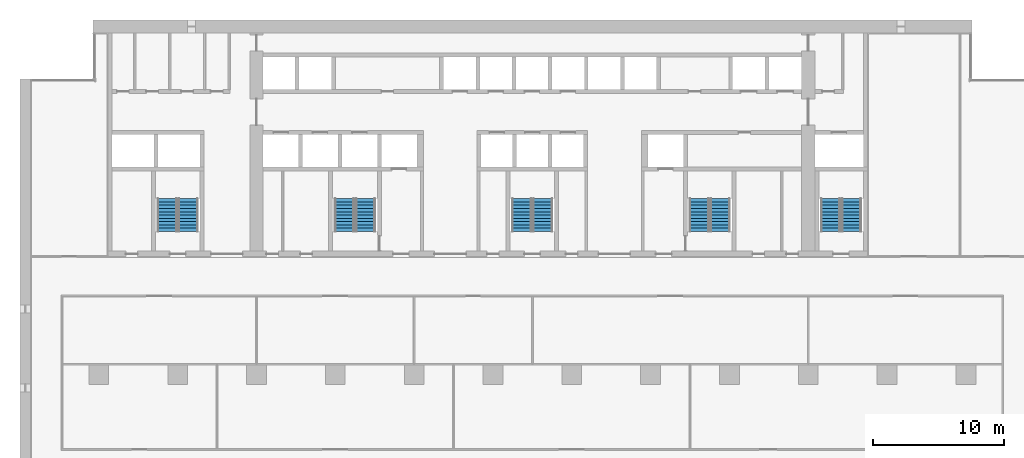
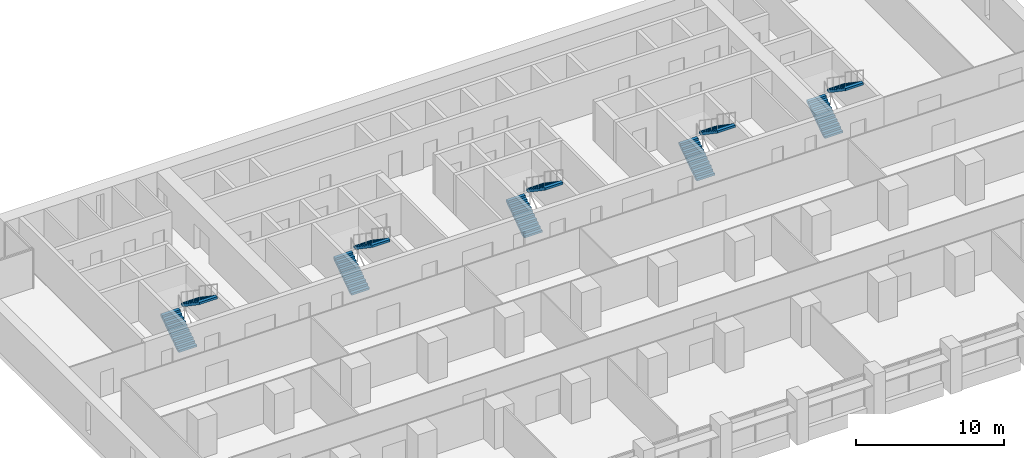
# One storey, part 14 of 18: 10 stair flights, 5 elements without a shape of their own.
"""IFC4 building model written with IfcOpenShell, lengths in metres."""

from ifc_helpers import new_model, si_unit, direction, frame, origin, place, context, subcontext, project, spatial, polyline, outline, extrude, material, type_object, element, aggregate, save


model = new_model("IFC4")

# Units and contexts
model_context = context("Model", 3, precision=1e-05, world=origin(), true_north=direction((0.0, 1.0)))
body_context = subcontext(model_context, "Body", "Model", "MODEL_VIEW")
ifc_project = project(units=[si_unit("LENGTHUNIT", "METRE"), si_unit("AREAUNIT", "SQUARE_METRE"), si_unit("VOLUMEUNIT", "CUBIC_METRE"), si_unit("PLANEANGLEUNIT", "RADIAN"), si_unit("MASSUNIT", "GRAM", prefix="KILO")], contexts=[model_context])

# Site, building, storey
site_placement = place(None, origin())
site = spatial("IfcSite", under=ifc_project, at=site_placement, CompositionType="ELEMENT")
building_placement = place(site_placement, origin())
building = spatial("IfcBuilding", under=site, at=building_placement, Name="Calvaro Tower", CompositionType="ELEMENT")
storey_placement = place(building_placement, frame((0.0, 0.0, 78.75)))
storey = spatial("IfcBuildingStorey", under=building, at=storey_placement, Name="L19", CompositionType="ELEMENT", Elevation=78.75)

# Stair, stair flights
ifc_material_1 = material(Name="Concrete C40/50", Category="concrete")
stair_type = type_object("IfcStairType", Name="Exit stair 1400 2 flights", PredefinedType="HALF_TURN_STAIR", material=ifc_material_1)
stair_1_placement = place(storey_placement, origin())
stair_1 = element("IfcStair", 1, at=stair_1_placement, inside=storey, type_object=stair_type, Name="Exit stair S1", PredefinedType="HALF_TURN_STAIR")
ifc_material_2 = material(Name="Concrete C40/50", Category="concrete")
stair_flight_type = type_object("IfcStairFlightType", Name="Stair flight", PredefinedType="STRAIGHT", material=ifc_material_2)
stair_flight_1_placement = place(storey_placement, frame((11.199951171875, 29.89990234375, 0.0), z_axis=(0.0, 0.0, 1.0), x_axis=(0.0, 1.0, 0.0)))
stair_flight_1 = element("IfcStairFlight", 2, at=stair_flight_1_placement, type_object=stair_flight_type, Name="Exit stair 1, flight 1", NumberOfRisers=11, NumberOfTreads=10, PredefinedType="STRAIGHT", RiserHeight=0.170454545, TreadLength=0.25, context=body_context, shape_type="SweptSolid", body=[
    extrude(outline(polyline([(0.0, 0.0), (0.0, 0.17041015625), (0.25, 0.17041015625), (0.25, 0.3408203125), (0.5, 0.3408203125), (0.5, 0.511474609375), (0.75, 0.511474609375), (0.75, 0.681884765625), (1.0, 0.681884765625), (1.0, 0.852294921875), (1.25, 0.852294921875), (1.25, 1.022705078125), (1.5, 1.022705078125), (1.5, 1.193115234375), (1.75, 1.193115234375), (1.75, 1.363525390625), (2.0, 1.363525390625), (2.0, 1.5341796875), (2.25, 1.5341796875), (2.25, 1.70458984375), (2.5, 1.70458984375), (2.5, 1.875), (2.5, 1.523193359375), (0.26611328125, 0.0), (0.0, 0.0)])), frame((0.0, 0.699951171875, 0.0), z_axis=(0.0, -1.0, 0.0), x_axis=(1.0, 0.0, 0.0)), (0.0, 0.0, 1.0), 1.39990234375),
])
stair_flight_2_placement = place(storey_placement, frame((12.800048828125, 32.39990234375, 1.875), z_axis=(0.0, 0.0, 1.0), x_axis=(0.0, -1.0, 0.0)))
stair_flight_2 = element("IfcStairFlight", 3, at=stair_flight_2_placement, type_object=stair_flight_type, Name="Exit stair 1, flight 2", NumberOfRisers=11, NumberOfTreads=10, PredefinedType="STRAIGHT", RiserHeight=0.170454545, TreadLength=0.25, context=body_context, shape_type="SweptSolid", body=[
    extrude(outline(polyline([(0.0, 0.0), (0.0, 0.17041015625), (0.25, 0.17041015625), (0.25, 0.3408203125), (0.5, 0.3408203125), (0.5, 0.511474609375), (0.75, 0.511474609375), (0.75, 0.681884765625), (1.0, 0.681884765625), (1.0, 0.852294921875), (1.25, 0.852294921875), (1.25, 1.022705078125), (1.5, 1.022705078125), (1.5, 1.193115234375), (1.75, 1.193115234375), (1.75, 1.363525390625), (2.0, 1.363525390625), (2.0, 1.5341796875), (2.25, 1.5341796875), (2.25, 1.70458984375), (2.5, 1.70458984375), (2.5, 1.875), (2.5, 1.523193359375), (0.26611328125, 0.0), (0.0, 0.0)])), frame((0.0, 0.699951171875, 0.0), z_axis=(0.0, -1.0, 0.0), x_axis=(1.0, 0.0, 0.0)), (0.0, 0.0, 1.0), 1.39990234375),
])
aggregate(stair_1, [stair_flight_1, stair_flight_2])

stair_2_placement = place(storey_placement, origin())
stair_2 = element("IfcStair", 4, at=stair_2_placement, inside=storey, type_object=stair_type, Name="Exit stair S2", PredefinedType="HALF_TURN_STAIR")
stair_flight_3_placement = place(storey_placement, frame((24.699951171875, 29.89990234375, 0.0), z_axis=(0.0, 0.0, 1.0), x_axis=(0.0, 1.0, 0.0)))
stair_flight_3 = element("IfcStairFlight", 5, at=stair_flight_3_placement, type_object=stair_flight_type, Name="Exit stair 2, flight 1", NumberOfRisers=11, NumberOfTreads=10, PredefinedType="STRAIGHT", RiserHeight=0.170454545, TreadLength=0.25, context=body_context, shape_type="SweptSolid", body=[
    extrude(outline(polyline([(0.0, 0.0), (0.0, 0.17041015625), (0.25, 0.17041015625), (0.25, 0.3408203125), (0.5, 0.3408203125), (0.5, 0.511474609375), (0.75, 0.511474609375), (0.75, 0.681884765625), (1.0, 0.681884765625), (1.0, 0.852294921875), (1.25, 0.852294921875), (1.25, 1.022705078125), (1.5, 1.022705078125), (1.5, 1.193115234375), (1.75, 1.193115234375), (1.75, 1.363525390625), (2.0, 1.363525390625), (2.0, 1.5341796875), (2.25, 1.5341796875), (2.25, 1.70458984375), (2.5, 1.70458984375), (2.5, 1.875), (2.5, 1.523193359375), (0.26611328125, 0.0), (0.0, 0.0)])), frame((0.0, 0.699951171875, 0.0), z_axis=(0.0, -1.0, 0.0), x_axis=(1.0, 0.0, 0.0)), (0.0, 0.0, 1.0), 1.39990234375),
])
stair_flight_4_placement = place(storey_placement, frame((26.300048828125, 32.39990234375, 1.875), z_axis=(0.0, 0.0, 1.0), x_axis=(0.0, -1.0, 0.0)))
stair_flight_4 = element("IfcStairFlight", 6, at=stair_flight_4_placement, type_object=stair_flight_type, Name="Exit stair 2, flight 2", NumberOfRisers=11, NumberOfTreads=10, PredefinedType="STRAIGHT", RiserHeight=0.170454545, TreadLength=0.25, context=body_context, shape_type="SweptSolid", body=[
    extrude(outline(polyline([(0.0, 0.0), (0.0, 0.17041015625), (0.25, 0.17041015625), (0.25, 0.3408203125), (0.5, 0.3408203125), (0.5, 0.511474609375), (0.75, 0.511474609375), (0.75, 0.681884765625), (1.0, 0.681884765625), (1.0, 0.852294921875), (1.25, 0.852294921875), (1.25, 1.022705078125), (1.5, 1.022705078125), (1.5, 1.193115234375), (1.75, 1.193115234375), (1.75, 1.363525390625), (2.0, 1.363525390625), (2.0, 1.5341796875), (2.25, 1.5341796875), (2.25, 1.70458984375), (2.5, 1.70458984375), (2.5, 1.875), (2.5, 1.523193359375), (0.26611328125, 0.0), (0.0, 0.0)])), frame((0.0, 0.699951171875, 0.0), z_axis=(0.0, -1.0, 0.0), x_axis=(1.0, 0.0, 0.0)), (0.0, 0.0, 1.0), 1.39990234375),
])
aggregate(stair_2, [stair_flight_3, stair_flight_4])

stair_3_placement = place(storey_placement, origin())
stair_3 = element("IfcStair", 7, at=stair_3_placement, inside=storey, type_object=stair_type, Name="Exit stair S3", PredefinedType="HALF_TURN_STAIR")
stair_flight_5_placement = place(storey_placement, frame((38.199951171875, 29.89990234375, 0.0), z_axis=(0.0, 0.0, 1.0), x_axis=(0.0, 1.0, 0.0)))
stair_flight_5 = element("IfcStairFlight", 8, at=stair_flight_5_placement, type_object=stair_flight_type, Name="Exit stair 3, flight 1", NumberOfRisers=11, NumberOfTreads=10, PredefinedType="STRAIGHT", RiserHeight=0.170454545, TreadLength=0.25, context=body_context, shape_type="SweptSolid", body=[
    extrude(outline(polyline([(0.0, 0.0), (0.0, 0.17041015625), (0.25, 0.17041015625), (0.25, 0.3408203125), (0.5, 0.3408203125), (0.5, 0.511474609375), (0.75, 0.511474609375), (0.75, 0.681884765625), (1.0, 0.681884765625), (1.0, 0.852294921875), (1.25, 0.852294921875), (1.25, 1.022705078125), (1.5, 1.022705078125), (1.5, 1.193115234375), (1.75, 1.193115234375), (1.75, 1.363525390625), (2.0, 1.363525390625), (2.0, 1.5341796875), (2.25, 1.5341796875), (2.25, 1.70458984375), (2.5, 1.70458984375), (2.5, 1.875), (2.5, 1.523193359375), (0.26611328125, 0.0), (0.0, 0.0)])), frame((0.0, 0.699951171875, 0.0), z_axis=(0.0, -1.0, 0.0), x_axis=(1.0, 0.0, 0.0)), (0.0, 0.0, 1.0), 1.39990234375),
])
stair_flight_6_placement = place(storey_placement, frame((39.800048828125, 32.39990234375, 1.875), z_axis=(0.0, 0.0, 1.0), x_axis=(0.0, -1.0, 0.0)))
stair_flight_6 = element("IfcStairFlight", 9, at=stair_flight_6_placement, type_object=stair_flight_type, Name="Exit stair 3, flight 2", NumberOfRisers=11, NumberOfTreads=10, PredefinedType="STRAIGHT", RiserHeight=0.170454545, TreadLength=0.25, context=body_context, shape_type="SweptSolid", body=[
    extrude(outline(polyline([(0.0, 0.0), (0.0, 0.17041015625), (0.25, 0.17041015625), (0.25, 0.3408203125), (0.5, 0.3408203125), (0.5, 0.511474609375), (0.75, 0.511474609375), (0.75, 0.681884765625), (1.0, 0.681884765625), (1.0, 0.852294921875), (1.25, 0.852294921875), (1.25, 1.022705078125), (1.5, 1.022705078125), (1.5, 1.193115234375), (1.75, 1.193115234375), (1.75, 1.363525390625), (2.0, 1.363525390625), (2.0, 1.5341796875), (2.25, 1.5341796875), (2.25, 1.70458984375), (2.5, 1.70458984375), (2.5, 1.875), (2.5, 1.523193359375), (0.26611328125, 0.0), (0.0, 0.0)])), frame((0.0, 0.699951171875, 0.0), z_axis=(0.0, -1.0, 0.0), x_axis=(1.0, 0.0, 0.0)), (0.0, 0.0, 1.0), 1.39990234375),
])
aggregate(stair_3, [stair_flight_5, stair_flight_6])

stair_4_placement = place(storey_placement, origin())
stair_4 = element("IfcStair", 10, at=stair_4_placement, inside=storey, type_object=stair_type, Name="Exit stair S4", PredefinedType="HALF_TURN_STAIR")
stair_flight_7_placement = place(storey_placement, frame((51.699951171875, 29.89990234375, 0.0), z_axis=(0.0, 0.0, 1.0), x_axis=(0.0, 1.0, 0.0)))
stair_flight_7 = element("IfcStairFlight", 11, at=stair_flight_7_placement, type_object=stair_flight_type, Name="Exit stair 4, flight 1", NumberOfRisers=11, NumberOfTreads=10, PredefinedType="STRAIGHT", RiserHeight=0.170454545, TreadLength=0.25, context=body_context, shape_type="SweptSolid", body=[
    extrude(outline(polyline([(0.0, 0.0), (0.0, 0.17041015625), (0.25, 0.17041015625), (0.25, 0.3408203125), (0.5, 0.3408203125), (0.5, 0.511474609375), (0.75, 0.511474609375), (0.75, 0.681884765625), (1.0, 0.681884765625), (1.0, 0.852294921875), (1.25, 0.852294921875), (1.25, 1.022705078125), (1.5, 1.022705078125), (1.5, 1.193115234375), (1.75, 1.193115234375), (1.75, 1.363525390625), (2.0, 1.363525390625), (2.0, 1.5341796875), (2.25, 1.5341796875), (2.25, 1.70458984375), (2.5, 1.70458984375), (2.5, 1.875), (2.5, 1.523193359375), (0.26611328125, 0.0), (0.0, 0.0)])), frame((0.0, 0.699951171875, 0.0), z_axis=(0.0, -1.0, 0.0), x_axis=(1.0, 0.0, 0.0)), (0.0, 0.0, 1.0), 1.39990234375),
])
stair_flight_8_placement = place(storey_placement, frame((53.300048828125, 32.39990234375, 1.875), z_axis=(0.0, 0.0, 1.0), x_axis=(0.0, -1.0, 0.0)))
stair_flight_8 = element("IfcStairFlight", 12, at=stair_flight_8_placement, type_object=stair_flight_type, Name="Exit stair 4, flight 2", NumberOfRisers=11, NumberOfTreads=10, PredefinedType="STRAIGHT", RiserHeight=0.170454545, TreadLength=0.25, context=body_context, shape_type="SweptSolid", body=[
    extrude(outline(polyline([(0.0, 0.0), (0.0, 0.17041015625), (0.25, 0.17041015625), (0.25, 0.3408203125), (0.5, 0.3408203125), (0.5, 0.511474609375), (0.75, 0.511474609375), (0.75, 0.681884765625), (1.0, 0.681884765625), (1.0, 0.852294921875), (1.25, 0.852294921875), (1.25, 1.022705078125), (1.5, 1.022705078125), (1.5, 1.193115234375), (1.75, 1.193115234375), (1.75, 1.363525390625), (2.0, 1.363525390625), (2.0, 1.5341796875), (2.25, 1.5341796875), (2.25, 1.70458984375), (2.5, 1.70458984375), (2.5, 1.875), (2.5, 1.523193359375), (0.26611328125, 0.0), (0.0, 0.0)])), frame((0.0, 0.699951171875, 0.0), z_axis=(0.0, -1.0, 0.0), x_axis=(1.0, 0.0, 0.0)), (0.0, 0.0, 1.0), 1.39990234375),
])
aggregate(stair_4, [stair_flight_7, stair_flight_8])

stair_5_placement = place(storey_placement, origin())
stair_5 = element("IfcStair", 13, at=stair_5_placement, inside=storey, type_object=stair_type, Name="Exit stair S5", PredefinedType="HALF_TURN_STAIR")
stair_flight_9_placement = place(storey_placement, frame((61.699951171875, 29.89990234375, 0.0), z_axis=(0.0, 0.0, 1.0), x_axis=(0.0, 1.0, 0.0)))
stair_flight_9 = element("IfcStairFlight", 14, at=stair_flight_9_placement, type_object=stair_flight_type, Name="Exit stair 5, flight 1", NumberOfRisers=11, NumberOfTreads=10, PredefinedType="STRAIGHT", RiserHeight=0.170454545, TreadLength=0.25, context=body_context, shape_type="SweptSolid", body=[
    extrude(outline(polyline([(0.0, 0.0), (0.0, 0.17041015625), (0.25, 0.17041015625), (0.25, 0.3408203125), (0.5, 0.3408203125), (0.5, 0.511474609375), (0.75, 0.511474609375), (0.75, 0.681884765625), (1.0, 0.681884765625), (1.0, 0.852294921875), (1.25, 0.852294921875), (1.25, 1.022705078125), (1.5, 1.022705078125), (1.5, 1.193115234375), (1.75, 1.193115234375), (1.75, 1.363525390625), (2.0, 1.363525390625), (2.0, 1.5341796875), (2.25, 1.5341796875), (2.25, 1.70458984375), (2.5, 1.70458984375), (2.5, 1.875), (2.5, 1.523193359375), (0.26611328125, 0.0), (0.0, 0.0)])), frame((0.0, 0.699951171875, 0.0), z_axis=(0.0, -1.0, 0.0), x_axis=(1.0, 0.0, 0.0)), (0.0, 0.0, 1.0), 1.39990234375),
])
stair_flight_10_placement = place(storey_placement, frame((63.300048828125, 32.39990234375, 1.875), z_axis=(0.0, 0.0, 1.0), x_axis=(0.0, -1.0, 0.0)))
stair_flight_10 = element("IfcStairFlight", 15, at=stair_flight_10_placement, type_object=stair_flight_type, Name="Exit stair 5, flight 2", NumberOfRisers=11, NumberOfTreads=10, PredefinedType="STRAIGHT", RiserHeight=0.170454545, TreadLength=0.25, context=body_context, shape_type="SweptSolid", body=[
    extrude(outline(polyline([(0.0, 0.0), (0.0, 0.17041015625), (0.25, 0.17041015625), (0.25, 0.3408203125), (0.5, 0.3408203125), (0.5, 0.511474609375), (0.75, 0.511474609375), (0.75, 0.681884765625), (1.0, 0.681884765625), (1.0, 0.852294921875), (1.25, 0.852294921875), (1.25, 1.022705078125), (1.5, 1.022705078125), (1.5, 1.193115234375), (1.75, 1.193115234375), (1.75, 1.363525390625), (2.0, 1.363525390625), (2.0, 1.5341796875), (2.25, 1.5341796875), (2.25, 1.70458984375), (2.5, 1.70458984375), (2.5, 1.875), (2.5, 1.523193359375), (0.26611328125, 0.0), (0.0, 0.0)])), frame((0.0, 0.699951171875, 0.0), z_axis=(0.0, -1.0, 0.0), x_axis=(1.0, 0.0, 0.0)), (0.0, 0.0, 1.0), 1.39990234375),
])
aggregate(stair_5, [stair_flight_9, stair_flight_10])

save(model, "model.ifc")
